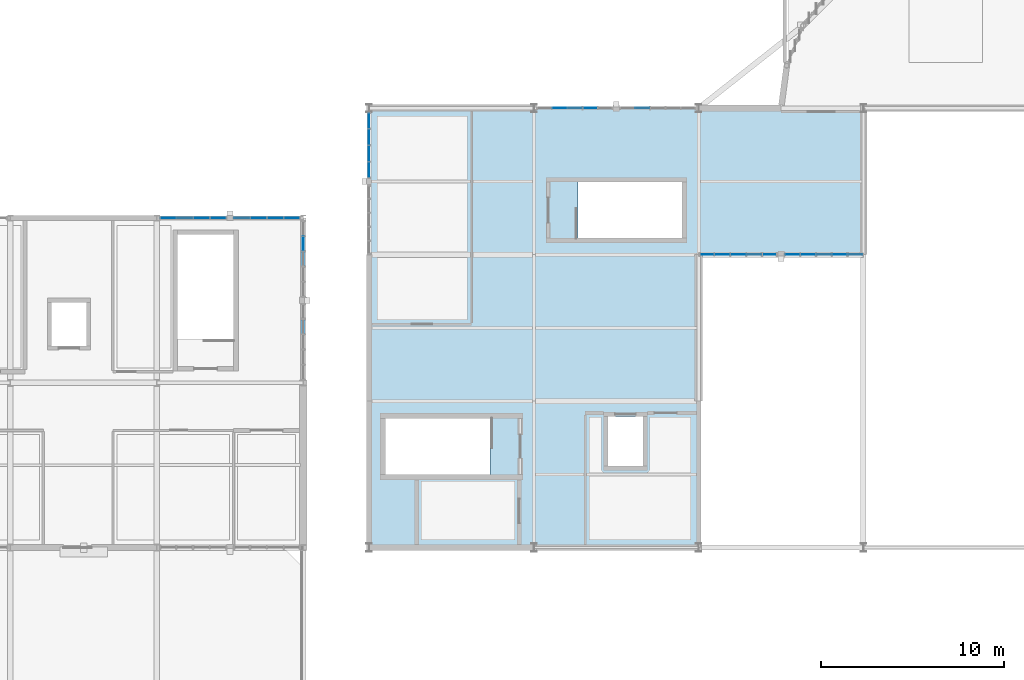
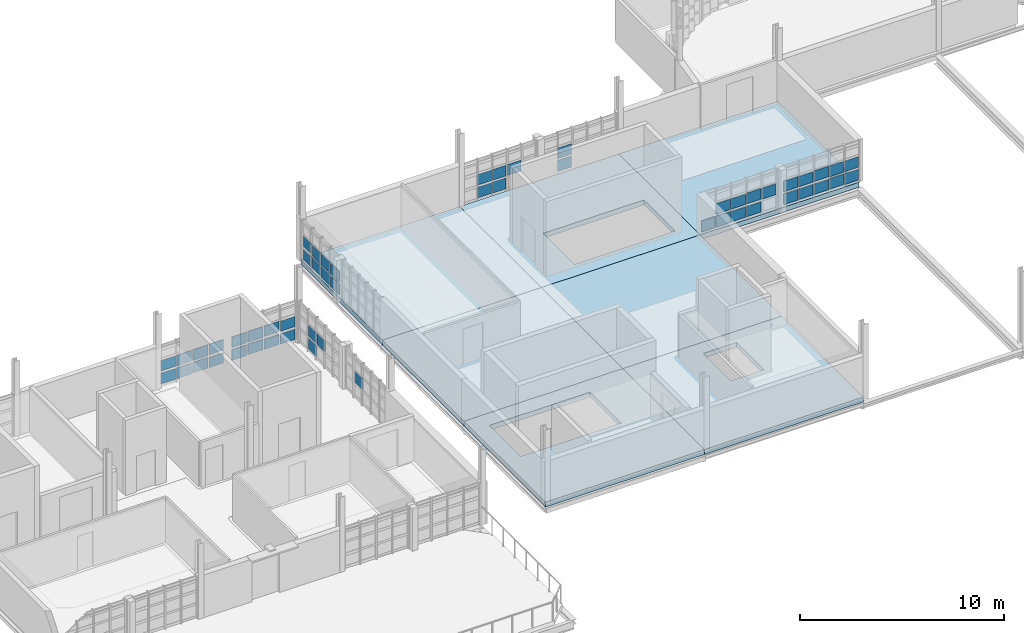
# One storey, part 28 of 44: 53 plates, 7 slabs, 9 elements without a shape of their own.
"""IFC4 building model written with IfcOpenShell, lengths in metres."""

from ifc_helpers import new_model, si_unit, direction, frame, origin, origin_2d, place, context, subcontext, project, spatial, polyline, rectangle, outline, extrude, material, layer, layer_set, type_object, element, aggregate, save


model = new_model("IFC4")

# Units and contexts
model_context = context("Model", 3, precision=1e-05, world=origin(), true_north=direction((0.0, 1.0)))
body_context = subcontext(model_context, "Body", "Model", "MODEL_VIEW")
ifc_project = project(units=[si_unit("LENGTHUNIT", "METRE"), si_unit("AREAUNIT", "SQUARE_METRE"), si_unit("VOLUMEUNIT", "CUBIC_METRE"), si_unit("PLANEANGLEUNIT", "RADIAN"), si_unit("MASSUNIT", "GRAM", prefix="KILO")], contexts=[model_context])

# Site, building, storey
site_placement = place(None, origin())
site = spatial("IfcSite", under=ifc_project, at=site_placement, CompositionType="ELEMENT")
building_placement = place(site_placement, origin())
building = spatial("IfcBuilding", under=site, at=building_placement, Name="Serraforn Aerial Cableway Station", CompositionType="ELEMENT")
storey_placement = place(building_placement, frame((0.0, 0.0, 13.800048828125)))
storey = spatial("IfcBuildingStorey", under=building, at=storey_placement, Name="L03", CompositionType="ELEMENT", Elevation=13.800048828125)

# Curtain wall, plates
ifc_material_1 = material(Name="Anodised bronze unitised curtain wall")
curtain_wall_type_1 = type_object("IfcCurtainWallType", Name="CW-SYS-15", PredefinedType="USERDEFINED", material=ifc_material_1)
curtain_wall_1_placement = place(storey_placement, origin())
curtain_wall_1 = element("IfcCurtainWall", 1, at=curtain_wall_1_placement, inside=storey, type_object=curtain_wall_type_1, Name="Unitised Curtain Wall CW-CV-L03-W3A", ObjectType="UNITISED CURTAIN WALL", PredefinedType="USERDEFINED")
ifc_material_2 = material(Name="Solar-control low-E double glazing", Category="glass")
ifc_layer_1 = layer(ifc_material_2, 0.02587890625)
ifc_layer_set_1 = layer_set([ifc_layer_1], Name="Solar-control low-E double glazing")
plate_type_1 = type_object("IfcPlateType", Name="CW-GLZ-1", PredefinedType="CURTAIN_PANEL", material=ifc_layer_set_1)
plate_1_placement = place(storey_placement, frame((27.60009765625, 41.3125, 0.947265625), z_axis=(0.0, 0.0, 1.0), x_axis=(1.0, 0.0, 0.0)))
plate_1 = element("IfcPlate", 2, at=plate_1_placement, type_object=plate_type_1, Name="Curtain Wall Panel CW-CV-L03-W3A-P1-2", PredefinedType="CURTAIN_PANEL", context=body_context, shape_type="SweptSolid", body=[
    extrude(rectangle(XDim=0.02587890625, YDim=0.80322265625, at=origin_2d()), origin(), (0.0, 0.0, 1.0), 0.631591796875),
])
plate_2_placement = place(storey_placement, frame((27.60009765625, 40.429443359375, 0.18212890625), z_axis=(0.0, 0.0, 1.0), x_axis=(1.0, 0.0, 0.0)))
plate_2 = element("IfcPlate", 3, at=plate_2_placement, type_object=plate_type_1, Name="Curtain Wall Panel CW-CV-L03-W3A-P2-1", PredefinedType="CURTAIN_PANEL", context=body_context, shape_type="SweptSolid", body=[
    extrude(rectangle(XDim=0.02587890625, YDim=0.830810546875, at=origin_2d()), origin(), (0.0, 0.0, 1.0), 0.631591796875),
])

# Curtain wall, plate
curtain_wall_type_2 = type_object("IfcCurtainWallType", Name="CW-SYS-20", PredefinedType="USERDEFINED", material=ifc_material_1)
curtain_wall_2_placement = place(storey_placement, origin())
curtain_wall_2 = element("IfcCurtainWall", 4, at=curtain_wall_2_placement, inside=storey, type_object=curtain_wall_type_2, Name="Unitised Curtain Wall CW-CV-L03-N2B", ObjectType="UNITISED CURTAIN WALL", PredefinedType="USERDEFINED")
plate_3_placement = place(storey_placement, frame((38.000732421875, 42.0, 0.9326171875), z_axis=(0.0, 0.0, 1.0), x_axis=(1.0, 0.0, 0.0)))
plate_3 = element("IfcPlate", 5, at=plate_3_placement, type_object=plate_type_1, Name="Curtain Wall Panel CW-CV-L03-N2B-P4-2", PredefinedType="CURTAIN_PANEL", context=body_context, shape_type="SweptSolid", body=[
    extrude(rectangle(XDim=0.781005859375, YDim=0.02587890625, at=origin_2d()), origin(), (0.0, 0.0, 1.0), 0.62646484375),
])

curtain_wall_type_3 = type_object("IfcCurtainWallType", Name="CW-SYS-13", PredefinedType="USERDEFINED", material=ifc_material_1)
curtain_wall_3_placement = place(storey_placement, origin())
curtain_wall_3 = element("IfcCurtainWall", 6, at=curtain_wall_3_placement, inside=storey, type_object=curtain_wall_type_3, Name="Unitised Curtain Wall CW-W-L03-N3A", ObjectType="UNITISED CURTAIN WALL", PredefinedType="USERDEFINED")
ifc_layer_2 = layer(ifc_material_2, 0.028076171875)
ifc_layer_set_2 = layer_set([ifc_layer_2], Name="Solar-control low-E double glazing")
plate_type_2 = type_object("IfcPlateType", Name="CW-GLZ-2", PredefinedType="CURTAIN_PANEL", material=ifc_layer_set_2)
plate_4_placement = place(storey_placement, frame((23.379150390625, 36.0, 0.16748046875), z_axis=(0.0, 0.0, 1.0), x_axis=(1.0, 0.0, 0.0)))
plate_4 = element("IfcPlate", 7, at=plate_4_placement, type_object=plate_type_2, Name="Curtain Wall Panel CW-W-L03-N3A-P1-1", PredefinedType="CURTAIN_PANEL", context=body_context, shape_type="SweptSolid", body=[
    extrude(rectangle(XDim=0.82958984375, YDim=0.028076171875, at=origin_2d()), origin(), (0.0, 0.0, 1.0), 0.62646484375),
])

curtain_wall_type_4 = type_object("IfcCurtainWallType", Name="CW-SYS-17", PredefinedType="USERDEFINED", material=ifc_material_1)
curtain_wall_4_placement = place(storey_placement, origin())
curtain_wall_4 = element("IfcCurtainWall", 8, at=curtain_wall_4_placement, inside=storey, type_object=curtain_wall_type_4, Name="Unitised Curtain Wall CW-W-L03-E2A", ObjectType="UNITISED CURTAIN WALL", PredefinedType="USERDEFINED")
plate_5_placement = place(storey_placement, frame((24.0, 30.067138671875, 0.919921875), z_axis=(0.0, 0.0, 1.0), x_axis=(1.0, 0.0, 0.0)))
plate_5 = element("IfcPlate", 9, at=plate_5_placement, type_object=plate_type_2, Name="Curtain Wall Panel CW-W-L03-E2A-P4-2", PredefinedType="CURTAIN_PANEL", context=body_context, shape_type="SweptSolid", body=[
    extrude(rectangle(XDim=0.028076171875, YDim=0.765869140625, at=origin_2d()), origin(), (0.0, 0.0, 1.0), 0.654052734375),
])
aggregate(curtain_wall_4, [plate_5])

# Curtain wall, plates
curtain_wall_type_5 = type_object("IfcCurtainWallType", Name="CW-SYS-18", PredefinedType="USERDEFINED", material=ifc_material_1)
curtain_wall_5_placement = place(storey_placement, origin())
curtain_wall_5 = element("IfcCurtainWall", 10, at=curtain_wall_5_placement, inside=storey, type_object=curtain_wall_type_5, Name="Unitised Curtain Wall CW-W-L03-E2B", ObjectType="UNITISED CURTAIN WALL", PredefinedType="USERDEFINED")
plate_6_placement = place(storey_placement, frame((24.0, 33.7646484375, 0.919921875), z_axis=(0.0, 0.0, 1.0), x_axis=(1.0, 0.0, 0.0)))
plate_6 = element("IfcPlate", 11, at=plate_6_placement, type_object=plate_type_2, Name="Curtain Wall Panel CW-W-L03-E2B-P3-2", PredefinedType="CURTAIN_PANEL", context=body_context, shape_type="SweptSolid", body=[
    extrude(rectangle(XDim=0.028076171875, YDim=0.765869140625, at=origin_2d()), origin(), (0.0, 0.0, 1.0), 0.654052734375),
])
plate_7_placement = place(storey_placement, frame((24.0, 34.60546875, 0.15478515625), z_axis=(0.0, 0.0, 1.0), x_axis=(1.0, 0.0, 0.0)))
plate_7 = element("IfcPlate", 12, at=plate_7_placement, type_object=plate_type_2, Name="Curtain Wall Panel CW-W-L03-E2B-P4-1", PredefinedType="CURTAIN_PANEL", context=body_context, shape_type="SweptSolid", body=[
    extrude(rectangle(XDim=0.028076171875, YDim=0.7734375, at=origin_2d()), origin(), (0.0, 0.0, 1.0), 0.654052734375),
])

# Plate
plate_8_placement = place(storey_placement, frame((27.60009765625, 40.429443359375, 0.919921875), z_axis=(0.0, 0.0, 1.0), x_axis=(1.0, 0.0, 0.0)))
plate_8 = element("IfcPlate", 13, at=plate_8_placement, type_object=plate_type_2, Name="Curtain Wall Panel CW-CV-L03-W3A-P2-2", PredefinedType="CURTAIN_PANEL", context=body_context, shape_type="SweptSolid", body=[
    extrude(rectangle(XDim=0.028076171875, YDim=0.830810546875, at=origin_2d()), origin(), (0.0, 0.0, 1.0), 0.654052734375),
])

plate_9_placement = place(storey_placement, frame((27.60009765625, 39.52392578125, 0.15478515625), z_axis=(0.0, 0.0, 1.0), x_axis=(1.0, 0.0, 0.0)))
plate_9 = element("IfcPlate", 14, at=plate_9_placement, type_object=plate_type_2, Name="Curtain Wall Panel CW-CV-L03-W3A-P3-1", PredefinedType="CURTAIN_PANEL", context=body_context, shape_type="SweptSolid", body=[
    extrude(rectangle(XDim=0.028076171875, YDim=0.83837890625, at=origin_2d()), origin(), (0.0, 0.0, 1.0), 0.654052734375),
])

# Curtain wall, plate
curtain_wall_6_placement = place(storey_placement, origin())
curtain_wall_6 = element("IfcCurtainWall", 15, at=curtain_wall_6_placement, inside=storey, type_object=curtain_wall_type_4, Name="Unitised Curtain Wall CW-CV-L03-S3A", ObjectType="UNITISED CURTAIN WALL", PredefinedType="USERDEFINED")
plate_10_placement = place(storey_placement, frame((46.055908203125, 34.0, 0.15478515625), z_axis=(0.0, 0.0, 1.0), x_axis=(1.0, 0.0, 0.0)))
plate_10 = element("IfcPlate", 16, at=plate_10_placement, type_object=plate_type_2, Name="Curtain Wall Panel CW-CV-L03-S3A-P1-1", PredefinedType="CURTAIN_PANEL", context=body_context, shape_type="SweptSolid", body=[
    extrude(rectangle(XDim=0.765380859375, YDim=0.028076171875, at=origin_2d()), origin(), (0.0, 0.0, 1.0), 0.654052734375),
])

# Plate
ifc_layer_3 = layer(ifc_material_2, 0.030029296875)
ifc_layer_set_3 = layer_set([ifc_layer_3], Name="Solar-control low-E double glazing")
plate_type_3 = type_object("IfcPlateType", Name="CW-GLZ-3", PredefinedType="CURTAIN_PANEL", material=ifc_layer_set_3)
plate_11_placement = place(storey_placement, frame((23.379150390625, 36.0, 0.93994140625), z_axis=(0.0, 0.0, 1.0), x_axis=(1.0, 0.0, 0.0)))
plate_11 = element("IfcPlate", 17, at=plate_11_placement, type_object=plate_type_3, Name="Curtain Wall Panel CW-W-L03-N3A-P1-2", PredefinedType="CURTAIN_PANEL", context=body_context, shape_type="SweptSolid", body=[
    extrude(rectangle(XDim=0.82958984375, YDim=0.030029296875, at=origin_2d()), origin(), (0.0, 0.0, 1.0), 0.611572265625),
])

plate_12_placement = place(storey_placement, frame((22.476318359375, 36.0, 0.1748046875), z_axis=(0.0, 0.0, 1.0), x_axis=(1.0, 0.0, 0.0)))
plate_12 = element("IfcPlate", 18, at=plate_12_placement, type_object=plate_type_3, Name="Curtain Wall Panel CW-W-L03-N3A-P2-1", PredefinedType="CURTAIN_PANEL", context=body_context, shape_type="SweptSolid", body=[
    extrude(rectangle(XDim=0.8544921875, YDim=0.030029296875, at=origin_2d()), origin(), (0.0, 0.0, 1.0), 0.611572265625),
])

# Curtain wall, plate
curtain_wall_type_6 = type_object("IfcCurtainWallType", Name="CW-SYS-14", PredefinedType="USERDEFINED", material=ifc_material_1)
curtain_wall_7_placement = place(storey_placement, origin())
curtain_wall_7 = element("IfcCurtainWall", 19, at=curtain_wall_7_placement, inside=storey, type_object=curtain_wall_type_6, Name="Unitised Curtain Wall CW-W-L03-N3B", ObjectType="UNITISED CURTAIN WALL", PredefinedType="USERDEFINED")
plate_13_placement = place(storey_placement, frame((19.345947265625, 36.0, 0.1748046875), z_axis=(0.0, 0.0, 1.0), x_axis=(1.0, 0.0, 0.0)))
plate_13 = element("IfcPlate", 20, at=plate_13_placement, type_object=plate_type_3, Name="Curtain Wall Panel CW-W-L03-N3B-P1-1", PredefinedType="CURTAIN_PANEL", context=body_context, shape_type="SweptSolid", body=[
    extrude(rectangle(XDim=0.822021484375, YDim=0.030029296875, at=origin_2d()), origin(), (0.0, 0.0, 1.0), 0.611572265625),
])

# Plate
plate_14_placement = place(storey_placement, frame((24.0, 34.60546875, 0.9248046875), z_axis=(0.0, 0.0, 1.0), x_axis=(1.0, 0.0, 0.0)))
plate_14 = element("IfcPlate", 21, at=plate_14_placement, type_object=plate_type_3, Name="Curtain Wall Panel CW-W-L03-E2B-P4-2", PredefinedType="CURTAIN_PANEL", context=body_context, shape_type="SweptSolid", body=[
    extrude(rectangle(XDim=0.030029296875, YDim=0.7734375, at=origin_2d()), origin(), (0.0, 0.0, 1.0), 0.6416015625),
])

aggregate(curtain_wall_5, [plate_6, plate_7, plate_14])

plate_15_placement = place(storey_placement, frame((27.60009765625, 39.52392578125, 0.9248046875), z_axis=(0.0, 0.0, 1.0), x_axis=(1.0, 0.0, 0.0)))
plate_15 = element("IfcPlate", 22, at=plate_15_placement, type_object=plate_type_3, Name="Curtain Wall Panel CW-CV-L03-W3A-P3-2", PredefinedType="CURTAIN_PANEL", context=body_context, shape_type="SweptSolid", body=[
    extrude(rectangle(XDim=0.030029296875, YDim=0.83837890625, at=origin_2d()), origin(), (0.0, 0.0, 1.0), 0.6416015625),
])

plate_16_placement = place(storey_placement, frame((27.60009765625, 38.64599609375, 0.159912109375), z_axis=(0.0, 0.0, 1.0), x_axis=(1.0, 0.0, 0.0)))
plate_16 = element("IfcPlate", 23, at=plate_16_placement, type_object=plate_type_3, Name="Curtain Wall Panel CW-CV-L03-W3A-P4-1", PredefinedType="CURTAIN_PANEL", context=body_context, shape_type="SweptSolid", body=[
    extrude(rectangle(XDim=0.030029296875, YDim=0.81591796875, at=origin_2d()), origin(), (0.0, 0.0, 1.0), 0.6416015625),
])

plate_17_placement = place(storey_placement, frame((46.894775390625, 34.0, 0.159912109375), z_axis=(0.0, 0.0, 1.0), x_axis=(1.0, 0.0, 0.0)))
plate_17 = element("IfcPlate", 24, at=plate_17_placement, type_object=plate_type_3, Name="Curtain Wall Panel CW-CV-L03-S3A-P2-1", PredefinedType="CURTAIN_PANEL", context=body_context, shape_type="SweptSolid", body=[
    extrude(rectangle(XDim=0.810546875, YDim=0.030029296875, at=origin_2d()), origin(), (0.0, 0.0, 1.0), 0.6416015625),
])

# Curtain wall, plate
curtain_wall_8_placement = place(storey_placement, origin())
curtain_wall_8 = element("IfcCurtainWall", 25, at=curtain_wall_8_placement, inside=storey, type_object=curtain_wall_type_5, Name="Unitised Curtain Wall CW-CV-L03-S3B", ObjectType="UNITISED CURTAIN WALL", PredefinedType="USERDEFINED")
plate_18_placement = place(storey_placement, frame((50.724609375, 34.0, 0.159912109375), z_axis=(0.0, 0.0, 1.0), x_axis=(1.0, 0.0, 0.0)))
plate_18 = element("IfcPlate", 26, at=plate_18_placement, type_object=plate_type_3, Name="Curtain Wall Panel CW-CV-L03-S3B-P1-1", PredefinedType="CURTAIN_PANEL", context=body_context, shape_type="SweptSolid", body=[
    extrude(rectangle(XDim=0.782958984375, YDim=0.030029296875, at=origin_2d()), origin(), (0.0, 0.0, 1.0), 0.6416015625),
])

# Plate
ifc_layer_4 = layer(ifc_material_2, 0.031982421875)
ifc_layer_set_4 = layer_set([ifc_layer_4], Name="Solar-control low-E double glazing")
plate_type_4 = type_object("IfcPlateType", Name="CW-GLZ-4", PredefinedType="CURTAIN_PANEL", material=ifc_layer_set_4)
plate_19_placement = place(storey_placement, frame((22.476318359375, 36.0, 0.947265625), z_axis=(0.0, 0.0, 1.0), x_axis=(1.0, 0.0, 0.0)))
plate_19 = element("IfcPlate", 27, at=plate_19_placement, type_object=plate_type_4, Name="Curtain Wall Panel CW-W-L03-N3A-P2-2", PredefinedType="CURTAIN_PANEL", context=body_context, shape_type="SweptSolid", body=[
    extrude(rectangle(XDim=0.8544921875, YDim=0.031982421875, at=origin_2d()), origin(), (0.0, 0.0, 1.0), 0.631591796875),
])

plate_20_placement = place(storey_placement, frame((21.558349609375, 36.0, 0.18212890625), z_axis=(0.0, 0.0, 1.0), x_axis=(1.0, 0.0, 0.0)))
plate_20 = element("IfcPlate", 28, at=plate_20_placement, type_object=plate_type_4, Name="Curtain Wall Panel CW-W-L03-N3A-P3-1", PredefinedType="CURTAIN_PANEL", context=body_context, shape_type="SweptSolid", body=[
    extrude(rectangle(XDim=0.849609375, YDim=0.031982421875, at=origin_2d()), origin(), (0.0, 0.0, 1.0), 0.631591796875),
])

plate_21_placement = place(storey_placement, frame((19.345947265625, 36.0, 0.947265625), z_axis=(0.0, 0.0, 1.0), x_axis=(1.0, 0.0, 0.0)))
plate_21 = element("IfcPlate", 29, at=plate_21_placement, type_object=plate_type_4, Name="Curtain Wall Panel CW-W-L03-N3B-P1-2", PredefinedType="CURTAIN_PANEL", context=body_context, shape_type="SweptSolid", body=[
    extrude(rectangle(XDim=0.822021484375, YDim=0.031982421875, at=origin_2d()), origin(), (0.0, 0.0, 1.0), 0.631591796875),
])

plate_22_placement = place(storey_placement, frame((18.4443359375, 36.0, 0.18212890625), z_axis=(0.0, 0.0, 1.0), x_axis=(1.0, 0.0, 0.0)))
plate_22 = element("IfcPlate", 30, at=plate_22_placement, type_object=plate_type_4, Name="Curtain Wall Panel CW-W-L03-N3B-P2-1", PredefinedType="CURTAIN_PANEL", context=body_context, shape_type="SweptSolid", body=[
    extrude(rectangle(XDim=0.849609375, YDim=0.031982421875, at=origin_2d()), origin(), (0.0, 0.0, 1.0), 0.631591796875),
])

plate_23_placement = place(storey_placement, frame((27.60009765625, 38.64599609375, 0.9326171875), z_axis=(0.0, 0.0, 1.0), x_axis=(1.0, 0.0, 0.0)))
plate_23 = element("IfcPlate", 31, at=plate_23_placement, type_object=plate_type_4, Name="Curtain Wall Panel CW-CV-L03-W3A-P4-2", PredefinedType="CURTAIN_PANEL", context=body_context, shape_type="SweptSolid", body=[
    extrude(rectangle(XDim=0.031982421875, YDim=0.81591796875, at=origin_2d()), origin(), (0.0, 0.0, 1.0), 0.62646484375),
])

plate_24_placement = place(storey_placement, frame((46.894775390625, 34.0, 0.9326171875), z_axis=(0.0, 0.0, 1.0), x_axis=(1.0, 0.0, 0.0)))
plate_24 = element("IfcPlate", 32, at=plate_24_placement, type_object=plate_type_4, Name="Curtain Wall Panel CW-CV-L03-S3A-P2-2", PredefinedType="CURTAIN_PANEL", context=body_context, shape_type="SweptSolid", body=[
    extrude(rectangle(XDim=0.810546875, YDim=0.031982421875, at=origin_2d()), origin(), (0.0, 0.0, 1.0), 0.62646484375),
])

plate_25_placement = place(storey_placement, frame((47.7587890625, 34.0, 0.16748046875), z_axis=(0.0, 0.0, 1.0), x_axis=(1.0, 0.0, 0.0)))
plate_25 = element("IfcPlate", 33, at=plate_25_placement, type_object=plate_type_4, Name="Curtain Wall Panel CW-CV-L03-S3A-P3-1", PredefinedType="CURTAIN_PANEL", context=body_context, shape_type="SweptSolid", body=[
    extrude(rectangle(XDim=0.805419921875, YDim=0.031982421875, at=origin_2d()), origin(), (0.0, 0.0, 1.0), 0.62646484375),
])

plate_26_placement = place(storey_placement, frame((50.724609375, 34.0, 0.9326171875), z_axis=(0.0, 0.0, 1.0), x_axis=(1.0, 0.0, 0.0)))
plate_26 = element("IfcPlate", 34, at=plate_26_placement, type_object=plate_type_4, Name="Curtain Wall Panel CW-CV-L03-S3B-P1-2", PredefinedType="CURTAIN_PANEL", context=body_context, shape_type="SweptSolid", body=[
    extrude(rectangle(XDim=0.782958984375, YDim=0.031982421875, at=origin_2d()), origin(), (0.0, 0.0, 1.0), 0.62646484375),
])

plate_27_placement = place(storey_placement, frame((51.57470703125, 34.0, 0.16748046875), z_axis=(0.0, 0.0, 1.0), x_axis=(1.0, 0.0, 0.0)))
plate_27 = element("IfcPlate", 35, at=plate_27_placement, type_object=plate_type_4, Name="Curtain Wall Panel CW-CV-L03-S3B-P2-1", PredefinedType="CURTAIN_PANEL", context=body_context, shape_type="SweptSolid", body=[
    extrude(rectangle(XDim=0.805419921875, YDim=0.031982421875, at=origin_2d()), origin(), (0.0, 0.0, 1.0), 0.62646484375),
])

ifc_layer_5 = layer(ifc_material_2, 0.033935546875)
ifc_layer_set_5 = layer_set([ifc_layer_5], Name="Solar-control low-E double glazing")
plate_type_5 = type_object("IfcPlateType", Name="CW-GLZ-5", PredefinedType="CURTAIN_PANEL", material=ifc_layer_set_5)
plate_28_placement = place(storey_placement, frame((21.558349609375, 36.0, 0.919921875), z_axis=(0.0, 0.0, 1.0), x_axis=(1.0, 0.0, 0.0)))
plate_28 = element("IfcPlate", 36, at=plate_28_placement, type_object=plate_type_5, Name="Curtain Wall Panel CW-W-L03-N3A-P3-2", PredefinedType="CURTAIN_PANEL", context=body_context, shape_type="SweptSolid", body=[
    extrude(rectangle(XDim=0.849609375, YDim=0.033935546875, at=origin_2d()), origin(), (0.0, 0.0, 1.0), 0.654052734375),
])

plate_29_placement = place(storey_placement, frame((20.647705078125, 36.0, 0.15478515625), z_axis=(0.0, 0.0, 1.0), x_axis=(1.0, 0.0, 0.0)))
plate_29 = element("IfcPlate", 37, at=plate_29_placement, type_object=plate_type_5, Name="Curtain Wall Panel CW-W-L03-N3A-P4-1", PredefinedType="CURTAIN_PANEL", context=body_context, shape_type="SweptSolid", body=[
    extrude(rectangle(XDim=0.82958984375, YDim=0.033935546875, at=origin_2d()), origin(), (0.0, 0.0, 1.0), 0.654052734375),
])

plate_30_placement = place(storey_placement, frame((18.4443359375, 36.0, 0.919921875), z_axis=(0.0, 0.0, 1.0), x_axis=(1.0, 0.0, 0.0)))
plate_30 = element("IfcPlate", 38, at=plate_30_placement, type_object=plate_type_5, Name="Curtain Wall Panel CW-W-L03-N3B-P2-2", PredefinedType="CURTAIN_PANEL", context=body_context, shape_type="SweptSolid", body=[
    extrude(rectangle(XDim=0.849609375, YDim=0.033935546875, at=origin_2d()), origin(), (0.0, 0.0, 1.0), 0.654052734375),
])

plate_31_placement = place(storey_placement, frame((17.52001953125, 36.0, 0.15478515625), z_axis=(0.0, 0.0, 1.0), x_axis=(1.0, 0.0, 0.0)))
plate_31 = element("IfcPlate", 39, at=plate_31_placement, type_object=plate_type_5, Name="Curtain Wall Panel CW-W-L03-N3B-P3-1", PredefinedType="CURTAIN_PANEL", context=body_context, shape_type="SweptSolid", body=[
    extrude(rectangle(XDim=0.85693359375, YDim=0.033935546875, at=origin_2d()), origin(), (0.0, 0.0, 1.0), 0.654052734375),
])

plate_32_placement = place(storey_placement, frame((47.7587890625, 34.0, 0.93994140625), z_axis=(0.0, 0.0, 1.0), x_axis=(1.0, 0.0, 0.0)))
plate_32 = element("IfcPlate", 40, at=plate_32_placement, type_object=plate_type_5, Name="Curtain Wall Panel CW-CV-L03-S3A-P3-2", PredefinedType="CURTAIN_PANEL", context=body_context, shape_type="SweptSolid", body=[
    extrude(rectangle(XDim=0.805419921875, YDim=0.033935546875, at=origin_2d()), origin(), (0.0, 0.0, 1.0), 0.611572265625),
])

plate_33_placement = place(storey_placement, frame((48.622802734375, 34.0, 0.1748046875), z_axis=(0.0, 0.0, 1.0), x_axis=(1.0, 0.0, 0.0)))
plate_33 = element("IfcPlate", 41, at=plate_33_placement, type_object=plate_type_5, Name="Curtain Wall Panel CW-CV-L03-S3A-P4-1", PredefinedType="CURTAIN_PANEL", context=body_context, shape_type="SweptSolid", body=[
    extrude(rectangle(XDim=0.800537109375, YDim=0.033935546875, at=origin_2d()), origin(), (0.0, 0.0, 1.0), 0.611572265625),
])

plate_34_placement = place(storey_placement, frame((51.57470703125, 34.0, 0.93994140625), z_axis=(0.0, 0.0, 1.0), x_axis=(1.0, 0.0, 0.0)))
plate_34 = element("IfcPlate", 42, at=plate_34_placement, type_object=plate_type_5, Name="Curtain Wall Panel CW-CV-L03-S3B-P2-2", PredefinedType="CURTAIN_PANEL", context=body_context, shape_type="SweptSolid", body=[
    extrude(rectangle(XDim=0.805419921875, YDim=0.033935546875, at=origin_2d()), origin(), (0.0, 0.0, 1.0), 0.611572265625),
])

plate_35_placement = place(storey_placement, frame((52.438720703125, 34.0, 0.1748046875), z_axis=(0.0, 0.0, 1.0), x_axis=(1.0, 0.0, 0.0)))
plate_35 = element("IfcPlate", 43, at=plate_35_placement, type_object=plate_type_5, Name="Curtain Wall Panel CW-CV-L03-S3B-P3-1", PredefinedType="CURTAIN_PANEL", context=body_context, shape_type="SweptSolid", body=[
    extrude(rectangle(XDim=0.800537109375, YDim=0.033935546875, at=origin_2d()), origin(), (0.0, 0.0, 1.0), 0.611572265625),
])

ifc_layer_6 = layer(ifc_material_2, 0.035888671875)
ifc_layer_set_6 = layer_set([ifc_layer_6], Name="Solar-control low-E double glazing")
plate_type_6 = type_object("IfcPlateType", Name="CW-GLZ-6", PredefinedType="CURTAIN_PANEL", material=ifc_layer_set_6)
plate_36_placement = place(storey_placement, frame((20.647705078125, 36.0, 0.9248046875), z_axis=(0.0, 0.0, 1.0), x_axis=(1.0, 0.0, 0.0)))
plate_36 = element("IfcPlate", 44, at=plate_36_placement, type_object=plate_type_6, Name="Curtain Wall Panel CW-W-L03-N3A-P4-2", PredefinedType="CURTAIN_PANEL", context=body_context, shape_type="SweptSolid", body=[
    extrude(rectangle(XDim=0.82958984375, YDim=0.035888671875, at=origin_2d()), origin(), (0.0, 0.0, 1.0), 0.6416015625),
])

aggregate(curtain_wall_3, [plate_4, plate_11, plate_12, plate_19, plate_20, plate_28, plate_29, plate_36])

plate_37_placement = place(storey_placement, frame((17.52001953125, 36.0, 0.9248046875), z_axis=(0.0, 0.0, 1.0), x_axis=(1.0, 0.0, 0.0)))
plate_37 = element("IfcPlate", 45, at=plate_37_placement, type_object=plate_type_6, Name="Curtain Wall Panel CW-W-L03-N3B-P3-2", PredefinedType="CURTAIN_PANEL", context=body_context, shape_type="SweptSolid", body=[
    extrude(rectangle(XDim=0.85693359375, YDim=0.035888671875, at=origin_2d()), origin(), (0.0, 0.0, 1.0), 0.6416015625),
])

plate_38_placement = place(storey_placement, frame((16.623291015625, 36.0, 0.159912109375), z_axis=(0.0, 0.0, 1.0), x_axis=(1.0, 0.0, 0.0)))
plate_38 = element("IfcPlate", 46, at=plate_38_placement, type_object=plate_type_6, Name="Curtain Wall Panel CW-W-L03-N3B-P4-1", PredefinedType="CURTAIN_PANEL", context=body_context, shape_type="SweptSolid", body=[
    extrude(rectangle(XDim=0.83447265625, YDim=0.035888671875, at=origin_2d()), origin(), (0.0, 0.0, 1.0), 0.6416015625),
])

plate_39_placement = place(storey_placement, frame((48.622802734375, 34.0, 0.947265625), z_axis=(0.0, 0.0, 1.0), x_axis=(1.0, 0.0, 0.0)))
plate_39 = element("IfcPlate", 47, at=plate_39_placement, type_object=plate_type_6, Name="Curtain Wall Panel CW-CV-L03-S3A-P4-2", PredefinedType="CURTAIN_PANEL", context=body_context, shape_type="SweptSolid", body=[
    extrude(rectangle(XDim=0.800537109375, YDim=0.035888671875, at=origin_2d()), origin(), (0.0, 0.0, 1.0), 0.631591796875),
])

plate_40_placement = place(storey_placement, frame((52.438720703125, 34.0, 0.947265625), z_axis=(0.0, 0.0, 1.0), x_axis=(1.0, 0.0, 0.0)))
plate_40 = element("IfcPlate", 48, at=plate_40_placement, type_object=plate_type_6, Name="Curtain Wall Panel CW-CV-L03-S3B-P3-2", PredefinedType="CURTAIN_PANEL", context=body_context, shape_type="SweptSolid", body=[
    extrude(rectangle(XDim=0.800537109375, YDim=0.035888671875, at=origin_2d()), origin(), (0.0, 0.0, 1.0), 0.631591796875),
])

plate_41_placement = place(storey_placement, frame((53.302734375, 34.0, 0.18212890625), z_axis=(0.0, 0.0, 1.0), x_axis=(1.0, 0.0, 0.0)))
plate_41 = element("IfcPlate", 49, at=plate_41_placement, type_object=plate_type_6, Name="Curtain Wall Panel CW-CV-L03-S3B-P4-1", PredefinedType="CURTAIN_PANEL", context=body_context, shape_type="SweptSolid", body=[
    extrude(rectangle(XDim=0.79541015625, YDim=0.035888671875, at=origin_2d()), origin(), (0.0, 0.0, 1.0), 0.631591796875),
])

ifc_layer_7 = layer(ifc_material_2, 0.029052734375)
ifc_layer_set_7 = layer_set([ifc_layer_7], Name="Solar-control low-E double glazing")
plate_type_7 = type_object("IfcPlateType", Name="CW-GLZ-7", PredefinedType="CURTAIN_PANEL", material=ifc_layer_set_7)
plate_42_placement = place(storey_placement, frame((16.623291015625, 36.0, 0.9326171875), z_axis=(0.0, 0.0, 1.0), x_axis=(1.0, 0.0, 0.0)))
plate_42 = element("IfcPlate", 50, at=plate_42_placement, type_object=plate_type_7, Name="Curtain Wall Panel CW-W-L03-N3B-P4-2", PredefinedType="CURTAIN_PANEL", context=body_context, shape_type="SweptSolid", body=[
    extrude(rectangle(XDim=0.83447265625, YDim=0.029052734375, at=origin_2d()), origin(), (0.0, 0.0, 1.0), 0.62646484375),
])

aggregate(curtain_wall_7, [plate_13, plate_21, plate_22, plate_30, plate_31, plate_37, plate_38, plate_42])

plate_43_placement = place(storey_placement, frame((49.468017578125, 34.0, 0.919921875), z_axis=(0.0, 0.0, 1.0), x_axis=(1.0, 0.0, 0.0)))
plate_43 = element("IfcPlate", 51, at=plate_43_placement, type_object=plate_type_7, Name="Curtain Wall Panel CW-CV-L03-S3A-P5-2", PredefinedType="CURTAIN_PANEL", context=body_context, shape_type="SweptSolid", body=[
    extrude(rectangle(XDim=0.758056640625, YDim=0.029052734375, at=origin_2d()), origin(), (0.0, 0.0, 1.0), 0.654052734375),
])

aggregate(curtain_wall_6, [plate_10, plate_17, plate_24, plate_25, plate_32, plate_33, plate_39, plate_43])

plate_44_placement = place(storey_placement, frame((53.302734375, 34.0, 0.919921875), z_axis=(0.0, 0.0, 1.0), x_axis=(1.0, 0.0, 0.0)))
plate_44 = element("IfcPlate", 52, at=plate_44_placement, type_object=plate_type_7, Name="Curtain Wall Panel CW-CV-L03-S3B-P4-2", PredefinedType="CURTAIN_PANEL", context=body_context, shape_type="SweptSolid", body=[
    extrude(rectangle(XDim=0.79541015625, YDim=0.029052734375, at=origin_2d()), origin(), (0.0, 0.0, 1.0), 0.654052734375),
])

plate_45_placement = place(storey_placement, frame((54.1591796875, 34.0, 0.15478515625), z_axis=(0.0, 0.0, 1.0), x_axis=(1.0, 0.0, 0.0)))
plate_45 = element("IfcPlate", 53, at=plate_45_placement, type_object=plate_type_7, Name="Curtain Wall Panel CW-CV-L03-S3B-P5-1", PredefinedType="CURTAIN_PANEL", context=body_context, shape_type="SweptSolid", body=[
    extrude(rectangle(XDim=0.775390625, YDim=0.029052734375, at=origin_2d()), origin(), (0.0, 0.0, 1.0), 0.654052734375),
])

# Curtain wall, plate
curtain_wall_type_7 = type_object("IfcCurtainWallType", Name="CW-SYS-19", PredefinedType="USERDEFINED", material=ifc_material_1)
curtain_wall_9_placement = place(storey_placement, origin())
curtain_wall_9 = element("IfcCurtainWall", 54, at=curtain_wall_9_placement, inside=storey, type_object=curtain_wall_type_7, Name="Unitised Curtain Wall CW-CV-L03-N2A", ObjectType="UNITISED CURTAIN WALL", PredefinedType="USERDEFINED")
plate_46_placement = place(storey_placement, frame((42.526611328125, 42.0, 0.15478515625), z_axis=(0.0, 0.0, 1.0), x_axis=(1.0, 0.0, 0.0)))
plate_46 = element("IfcPlate", 55, at=plate_46_placement, type_object=plate_type_7, Name="Curtain Wall Panel CW-CV-L03-N2A-P4-1", PredefinedType="CURTAIN_PANEL", context=body_context, shape_type="SweptSolid", body=[
    extrude(rectangle(XDim=0.7734375, YDim=0.029052734375, at=origin_2d()), origin(), (0.0, 0.0, 1.0), 0.654052734375),
])

# Plate
plate_47_placement = place(storey_placement, frame((39.669677734375, 42.0, 0.919921875), z_axis=(0.0, 0.0, 1.0), x_axis=(1.0, 0.0, 0.0)))
plate_47 = element("IfcPlate", 56, at=plate_47_placement, type_object=plate_type_7, Name="Curtain Wall Panel CW-CV-L03-N2B-P2-2", PredefinedType="CURTAIN_PANEL", context=body_context, shape_type="SweptSolid", body=[
    extrude(rectangle(XDim=0.765869140625, YDim=0.029052734375, at=origin_2d()), origin(), (0.0, 0.0, 1.0), 0.654052734375),
])

plate_48_placement = place(storey_placement, frame((38.8291015625, 42.0, 0.15478515625), z_axis=(0.0, 0.0, 1.0), x_axis=(1.0, 0.0, 0.0)))
plate_48 = element("IfcPlate", 57, at=plate_48_placement, type_object=plate_type_7, Name="Curtain Wall Panel CW-CV-L03-N2B-P3-1", PredefinedType="CURTAIN_PANEL", context=body_context, shape_type="SweptSolid", body=[
    extrude(rectangle(XDim=0.7734375, YDim=0.029052734375, at=origin_2d()), origin(), (0.0, 0.0, 1.0), 0.654052734375),
])

ifc_layer_8 = layer(ifc_material_2, 0.031005859375)
ifc_layer_set_8 = layer_set([ifc_layer_8], Name="Solar-control low-E double glazing")
plate_type_8 = type_object("IfcPlateType", Name="CW-GLZ-8", PredefinedType="CURTAIN_PANEL", material=ifc_layer_set_8)
plate_49_placement = place(storey_placement, frame((27.60009765625, 41.3125, 0.1748046875), z_axis=(0.0, 0.0, 1.0), x_axis=(1.0, 0.0, 0.0)))
plate_49 = element("IfcPlate", 58, at=plate_49_placement, type_object=plate_type_8, Name="Curtain Wall Panel CW-CV-L03-W3A-P1-1", PredefinedType="CURTAIN_PANEL", context=body_context, shape_type="SweptSolid", body=[
    extrude(rectangle(XDim=0.031005859375, YDim=0.80322265625, at=origin_2d()), origin(), (0.0, 0.0, 1.0), 0.611572265625),
])

aggregate(curtain_wall_1, [plate_49, plate_1, plate_2, plate_8, plate_9, plate_15, plate_16, plate_23])

plate_50_placement = place(storey_placement, frame((54.1591796875, 34.0, 0.9248046875), z_axis=(0.0, 0.0, 1.0), x_axis=(1.0, 0.0, 0.0)))
plate_50 = element("IfcPlate", 59, at=plate_50_placement, type_object=plate_type_8, Name="Curtain Wall Panel CW-CV-L03-S3B-P5-2", PredefinedType="CURTAIN_PANEL", context=body_context, shape_type="SweptSolid", body=[
    extrude(rectangle(XDim=0.775390625, YDim=0.031005859375, at=origin_2d()), origin(), (0.0, 0.0, 1.0), 0.6416015625),
])

aggregate(curtain_wall_8, [plate_18, plate_26, plate_27, plate_34, plate_35, plate_40, plate_41, plate_44, plate_45, plate_50])

plate_51_placement = place(storey_placement, frame((42.526611328125, 42.0, 0.9248046875), z_axis=(0.0, 0.0, 1.0), x_axis=(1.0, 0.0, 0.0)))
plate_51 = element("IfcPlate", 60, at=plate_51_placement, type_object=plate_type_8, Name="Curtain Wall Panel CW-CV-L03-N2A-P4-2", PredefinedType="CURTAIN_PANEL", context=body_context, shape_type="SweptSolid", body=[
    extrude(rectangle(XDim=0.7734375, YDim=0.031005859375, at=origin_2d()), origin(), (0.0, 0.0, 1.0), 0.6416015625),
])

aggregate(curtain_wall_9, [plate_46, plate_51])

plate_52_placement = place(storey_placement, frame((38.8291015625, 42.0, 0.9248046875), z_axis=(0.0, 0.0, 1.0), x_axis=(1.0, 0.0, 0.0)))
plate_52 = element("IfcPlate", 61, at=plate_52_placement, type_object=plate_type_8, Name="Curtain Wall Panel CW-CV-L03-N2B-P3-2", PredefinedType="CURTAIN_PANEL", context=body_context, shape_type="SweptSolid", body=[
    extrude(rectangle(XDim=0.7734375, YDim=0.031005859375, at=origin_2d()), origin(), (0.0, 0.0, 1.0), 0.6416015625),
])

plate_53_placement = place(storey_placement, frame((38.000732421875, 42.0, 0.159912109375), z_axis=(0.0, 0.0, 1.0), x_axis=(1.0, 0.0, 0.0)))
plate_53 = element("IfcPlate", 62, at=plate_53_placement, type_object=plate_type_8, Name="Curtain Wall Panel CW-CV-L03-N2B-P4-1", PredefinedType="CURTAIN_PANEL", context=body_context, shape_type="SweptSolid", body=[
    extrude(rectangle(XDim=0.781005859375, YDim=0.031005859375, at=origin_2d()), origin(), (0.0, 0.0, 1.0), 0.6416015625),
])

aggregate(curtain_wall_2, [plate_47, plate_48, plate_52, plate_53, plate_3])

# Slabs
ifc_material_3 = material(Name="Concrete C35/45", Category="concrete")
ifc_layer_9 = layer(ifc_material_3, 0.294921875)
ifc_layer_set_9 = layer_set([ifc_layer_9], Name="Concrete C35/45")
slab_type = type_object("IfcSlabType", Name="SLB-FLR-295", PredefinedType="FLOOR", material=ifc_layer_set_9)
slab_1_placement = place(storey_placement, frame((0.0, 0.0, -0.295166015625)))
element("IfcSlab", 63, at=slab_1_placement, inside=storey, type_object=slab_type, Name="Floor Slab CV-L03-1-1", PredefinedType="FLOOR", context=body_context, shape_type="SweptSolid", body=[
    extrude(outline(polyline([(27.60009765625, 18.0), (36.60009765625, 18.0), (36.60009765625, 26.0), (27.60009765625, 26.0), (27.60009765625, 18.0)]), holes=[polyline([(34.199951171875, 25.06005859375), (28.5, 25.06005859375), (28.5, 22.0), (34.199951171875, 22.0), (34.199951171875, 25.06005859375)])]), origin(), (0.0, 0.0, 1.0), 0.295166015625),
])
slab_2_placement = place(storey_placement, frame((0.0, 0.0, -0.295166015625)))
element("IfcSlab", 64, at=slab_2_placement, inside=storey, type_object=slab_type, Name="Floor Slab CV-L03-1-2", PredefinedType="FLOOR", context=body_context, shape_type="SweptSolid", body=[
    extrude(outline(polyline([(27.60009765625, 26.0), (36.60009765625, 26.0), (36.60009765625, 34.0), (27.60009765625, 34.0), (27.60009765625, 26.0)])), origin(), (0.0, 0.0, 1.0), 0.295166015625),
])
slab_3_placement = place(storey_placement, frame((0.0, 0.0, -0.295166015625)))
element("IfcSlab", 65, at=slab_3_placement, inside=storey, type_object=slab_type, Name="Floor Slab CV-L03-1-3", PredefinedType="FLOOR", context=body_context, shape_type="SweptSolid", body=[
    extrude(outline(polyline([(27.60009765625, 34.0), (36.60009765625, 34.0), (36.60009765625, 42.0), (27.60009765625, 42.0), (27.60009765625, 34.0)])), origin(), (0.0, 0.0, 1.0), 0.295166015625),
])
slab_4_placement = place(storey_placement, frame((0.0, 0.0, -0.295166015625)))
element("IfcSlab", 66, at=slab_4_placement, inside=storey, type_object=slab_type, Name="Floor Slab CV-L03-2-1", PredefinedType="FLOOR", context=body_context, shape_type="SweptSolid", body=[
    extrude(outline(polyline([(36.60009765625, 18.0), (45.60009765625, 18.0), (45.60009765625, 26.0), (36.60009765625, 26.0), (36.60009765625, 18.0)]), holes=[polyline([(40.64990234375, 22.449951171875), (42.550048828125, 22.449951171875), (42.550048828125, 25.14990234375), (40.64990234375, 25.14990234375), (40.64990234375, 22.449951171875)])]), origin(), (0.0, 0.0, 1.0), 0.295166015625),
])
slab_5_placement = place(storey_placement, frame((0.0, 0.0, -0.295166015625)))
element("IfcSlab", 67, at=slab_5_placement, inside=storey, type_object=slab_type, Name="Floor Slab CV-L03-2-2", PredefinedType="FLOOR", context=body_context, shape_type="SweptSolid", body=[
    extrude(outline(polyline([(36.60009765625, 26.0), (45.60009765625, 26.0), (45.60009765625, 34.0), (36.60009765625, 34.0), (36.60009765625, 26.0)])), origin(), (0.0, 0.0, 1.0), 0.295166015625),
])
slab_6_placement = place(storey_placement, frame((0.0, 0.0, -0.295166015625)))
element("IfcSlab", 68, at=slab_6_placement, inside=storey, type_object=slab_type, Name="Floor Slab CV-L03-2-3", PredefinedType="FLOOR", context=body_context, shape_type="SweptSolid", body=[
    extrude(outline(polyline([(36.60009765625, 34.0), (45.60009765625, 34.0), (45.60009765625, 42.0), (36.60009765625, 42.0), (36.60009765625, 34.0)]), holes=[polyline([(39.0, 34.89990234375), (44.699951171875, 34.89990234375), (44.699951171875, 37.9599609375), (39.0, 37.9599609375), (39.0, 34.89990234375)])]), origin(), (0.0, 0.0, 1.0), 0.295166015625),
])
slab_7_placement = place(storey_placement, frame((0.0, 0.0, -0.295166015625)))
element("IfcSlab", 69, at=slab_7_placement, inside=storey, type_object=slab_type, Name="Floor Slab CV-L03-3-3", PredefinedType="FLOOR", context=body_context, shape_type="SweptSolid", body=[
    extrude(outline(polyline([(45.60009765625, 34.0), (54.60009765625, 34.0), (54.60009765625, 42.0), (45.60009765625, 42.0), (45.60009765625, 34.0)])), origin(), (0.0, 0.0, 1.0), 0.295166015625),
])

save(model, "model.ifc")
